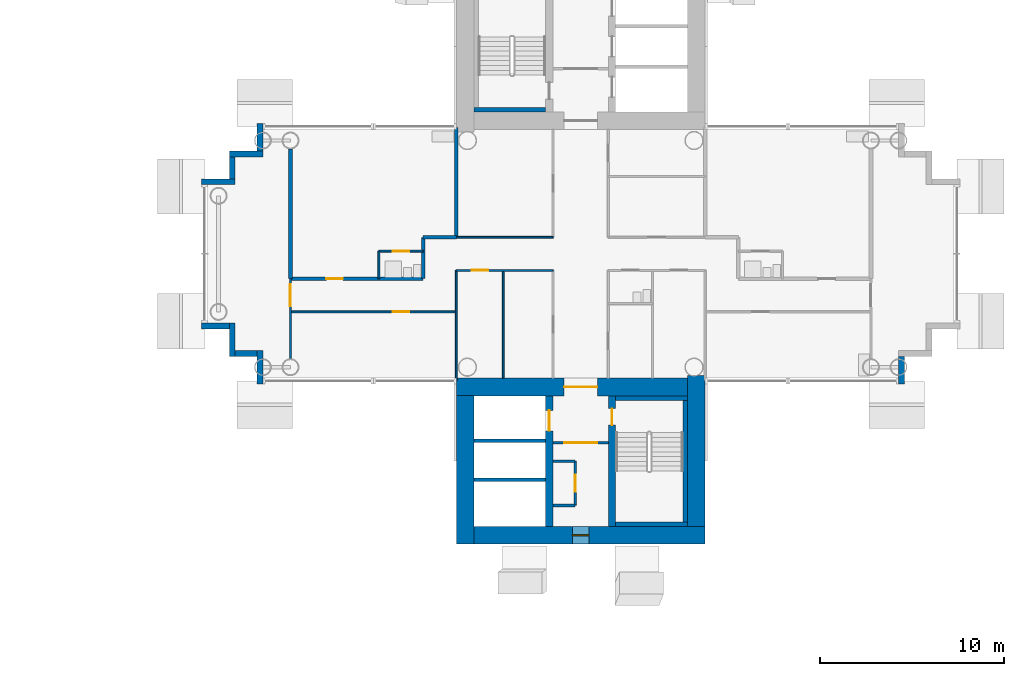
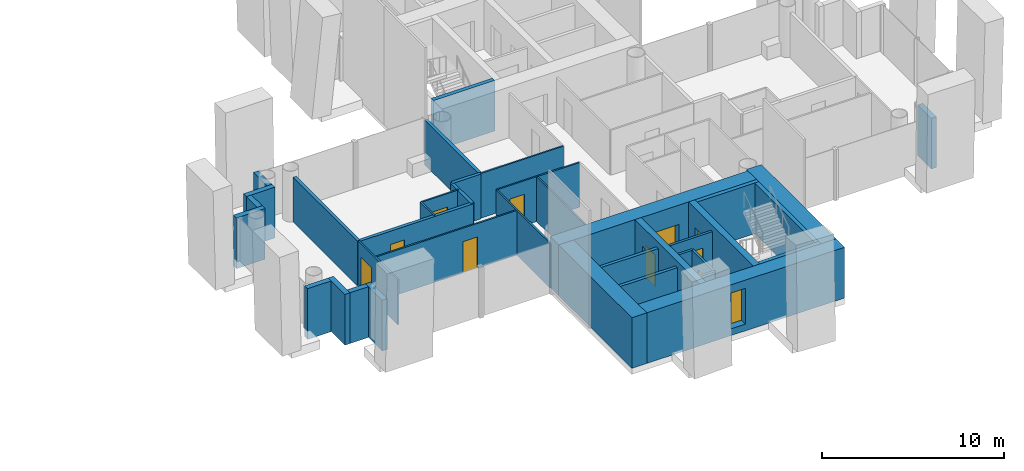
# One storey, part 11 of 20: 38 walls, 10 doors, 1 window, 11 openings.
"""IFC4 building model written with IfcOpenShell, lengths in metres."""

from ifc_helpers import new_model, si_unit, direction, frame, frame_2d, origin, place, context, subcontext, project, spatial, rectangle, extrude, material, layer, layer_set, type_object, element, fill, save


model = new_model("IFC4")

# Units and contexts
model_context = context("Model", 3, precision=1e-05, world=origin(), true_north=direction((0.0, 1.0)))
body_context = subcontext(model_context, "Body", "Model", "MODEL_VIEW")
ifc_project = project(units=[si_unit("LENGTHUNIT", "METRE"), si_unit("AREAUNIT", "SQUARE_METRE"), si_unit("VOLUMEUNIT", "CUBIC_METRE"), si_unit("PLANEANGLEUNIT", "RADIAN"), si_unit("MASSUNIT", "GRAM", prefix="KILO")], contexts=[model_context])

# Site, building, storey
site_placement = place(None, origin())
site = spatial("IfcSite", under=ifc_project, at=site_placement, CompositionType="ELEMENT")
building_placement = place(site_placement, origin())
building = spatial("IfcBuilding", under=site, at=building_placement, Name="Ipe Terrace Towers", CompositionType="ELEMENT")
storey_placement = place(building_placement, frame((0.0, 0.0, 120.800048828125)))
storey = spatial("IfcBuildingStorey", under=building, at=storey_placement, Name="L33", CompositionType="ELEMENT", Elevation=120.800048828125)

# Walls
ifc_material_1 = material(Name="Concrete C40/50 with buff precast cladding", Category="concrete")
ifc_layer_1 = layer(ifc_material_1, 0.320068359375)
ifc_layer_set_1 = layer_set([ifc_layer_1], Name="BUFF CLADDING WALL 320")
wall_type_1 = type_object("IfcWallType", Name="BUFF CLADDING WALL 320", PredefinedType="STANDARD", material=ifc_layer_set_1)
for number, where, z_axis, x_axis, name in (
    (1, (53.409912109375, -7.070068359375, -0.300048828125), (0.0, 0.0, 1.0), (0.0, 1.0, 0.0), "T2-W-L33-04a wall"),
    (2, (18.590087890625, 7.070068359375, -0.300048828125), (0.0, 0.0, 1.0), (0.0, -1.0, 0.0), "T2-W-L33-30a wall"),
):
    element("IfcWall", number, at=place(storey_placement, frame(where, z_axis=z_axis, x_axis=x_axis)), inside=storey, type_object=wall_type_1, Name=name, PredefinedType="STANDARD", context=body_context, shape_type="SweptSolid", body=[
        extrude(rectangle(XDim=1.5, YDim=0.320068359375, at=frame_2d((0.75, 0.0))), origin(), (0.0, 0.0, 1.0), 3.39990234375),
    ])
wall_1_placement = place(storey_placement, frame((18.75, 5.409912109375, -0.300048828125), z_axis=(0.0, 0.0, 1.0), x_axis=(-1.0, 0.0, 0.0)))
element("IfcWall", 3, at=wall_1_placement, inside=storey, type_object=wall_type_1, Name="T2-W-L33-31a wall", PredefinedType="STANDARD", context=body_context, shape_type="SweptSolid", body=[
    extrude(rectangle(XDim=1.820068359375, YDim=0.320068359375, at=frame_2d((0.91015625, 0.0))), origin(), (0.0, 0.0, 1.0), 3.39990234375),
])
wall_2_placement = place(storey_placement, frame((17.090087890625, 5.25, -0.300048828125), z_axis=(0.0, 0.0, 1.0), x_axis=(0.0, -1.0, 0.0)))
element("IfcWall", 4, at=wall_2_placement, inside=storey, type_object=wall_type_1, Name="T2-W-L33-32a wall", PredefinedType="STANDARD", context=body_context, shape_type="SweptSolid", body=[
    extrude(rectangle(XDim=1.179931640625, YDim=0.320068359375, at=frame_2d((0.58984375, 0.0))), origin(), (0.0, 0.0, 1.0), 3.39990234375),
])
wall_3_placement = place(storey_placement, frame((17.25, 3.909912109375, -0.300048828125), z_axis=(0.0, 0.0, 1.0), x_axis=(-1.0, 0.0, 0.0)))
element("IfcWall", 5, at=wall_3_placement, inside=storey, type_object=wall_type_1, Name="T2-W-L33-33a wall", PredefinedType="STANDARD", context=body_context, shape_type="SweptSolid", body=[
    extrude(rectangle(XDim=1.820068359375, YDim=0.320068359375, at=frame_2d((0.91015625, 0.0))), origin(), (0.0, 0.0, 1.0), 3.39990234375),
])
wall_4_placement = place(storey_placement, frame((15.429931640625, -3.909912109375, -0.300048828125), z_axis=(0.0, 0.0, 1.0), x_axis=(1.0, 0.0, 0.0)))
element("IfcWall", 6, at=wall_4_placement, inside=storey, type_object=wall_type_1, Name="T2-W-L33-35a wall", PredefinedType="STANDARD", context=body_context, shape_type="SweptSolid", body=[
    extrude(rectangle(XDim=1.5, YDim=0.320068359375, at=frame_2d((0.75, 0.0))), origin(), (0.0, 0.0, 1.0), 3.39990234375),
])
wall_5_placement = place(storey_placement, frame((17.090087890625, -3.75, -0.300048828125), z_axis=(0.0, 0.0, 1.0), x_axis=(0.0, -1.0, 0.0)))
element("IfcWall", 7, at=wall_5_placement, inside=storey, type_object=wall_type_1, Name="T2-W-L33-36a wall", PredefinedType="STANDARD", context=body_context, shape_type="SweptSolid", body=[
    extrude(rectangle(XDim=1.820068359375, YDim=0.320068359375, at=frame_2d((0.91015625, 0.0))), origin(), (0.0, 0.0, 1.0), 3.39990234375),
])
wall_6_placement = place(storey_placement, frame((17.25, -5.409912109375, -0.300048828125), z_axis=(0.0, 0.0, 1.0), x_axis=(1.0, 0.0, 0.0)))
element("IfcWall", 8, at=wall_6_placement, inside=storey, type_object=wall_type_1, Name="T2-W-L33-37a wall", PredefinedType="STANDARD", context=body_context, shape_type="SweptSolid", body=[
    extrude(rectangle(XDim=1.179931640625, YDim=0.320068359375, at=frame_2d((0.58984375, 0.0))), origin(), (0.0, 0.0, 1.0), 3.39990234375),
])
wall_7_placement = place(storey_placement, frame((18.590087890625, -5.25, -0.300048828125), z_axis=(0.0, 0.0, 1.0), x_axis=(0.0, -1.0, 0.0)))
element("IfcWall", 9, at=wall_7_placement, inside=storey, type_object=wall_type_1, Name="T2-W-L33-38a wall", PredefinedType="STANDARD", context=body_context, shape_type="SweptSolid", body=[
    extrude(rectangle(XDim=1.820068359375, YDim=0.320068359375, at=frame_2d((0.91015625, 0.0))), origin(), (0.0, 0.0, 1.0), 3.39990234375),
])

# Wall, opening, door
ifc_material_2 = material(Name="Gypsum board partition", Category="plasterboard")
ifc_layer_2 = layer(ifc_material_2, 0.10009765625)
ifc_layer_set_2 = layer_set([ifc_layer_2], Name="Gypsum board partition 100 mm")
wall_type_2 = type_object("IfcWallType", Name="Gypsum board partition 100 mm", PredefinedType="PARTITIONING", material=ifc_layer_set_2)
wall_8_placement = place(storey_placement, frame((29.25, -3.14990234375, 0.0), z_axis=(0.0, 0.0, 1.0), x_axis=(-1.0, 0.0, 0.0)))
wall_8 = element("IfcWall", 10, at=wall_8_placement, inside=storey, type_object=wall_type_2, Name="Gypsum board partition T2 L33 W02", PredefinedType="PARTITIONING", context=body_context, shape_type="SweptSolid", body=[
    extrude(rectangle(XDim=9.0, YDim=0.10009765625, at=frame_2d((4.5, 0.0))), origin(), (0.0, 0.0, 1.0), 3.0),
])
opening_1_placement = place(wall_8_placement, frame((2.550048828125, 0.0, 0.0)))
opening_1 = element("IfcOpeningElement", 11, at=opening_1_placement, cuts=wall_8, Name="Opening T2-Z2D-09", PredefinedType="OPENING", context=body_context, shape_type="SweptSolid", body=[
    extrude(rectangle(XDim=0.89990234375, YDim=2.10009765625, at=frame_2d((0.449951171875, 1.050048828125))), frame((0.0, 0.06005859375, 0.0), z_axis=(0.0, -1.0, 0.0), x_axis=(1.0, 0.0, 0.0)), (0.0, 0.0, 1.0), 0.1201171875),
])
ifc_material_3 = material(Name="Timber door leaf", Category="wood")
door_type_1 = type_object("IfcDoorType", Name="Lounge door 900 x 2100", OperationType="NOTDEFINED", PredefinedType="DOOR", material=ifc_material_3)
door_1_placement = place(opening_1_placement, origin())
door_1 = element("IfcDoor", 12, at=door_1_placement, inside=storey, type_object=door_type_1, Name="Lounge door T2-Z2D-09", OperationType="SINGLE_SWING_RIGHT", OverallHeight=2.10009765625, OverallWidth=0.89990234375, PredefinedType="DOOR", context=body_context, shape_type="SweptSolid", body=[
    extrude(rectangle(XDim=0.89990234375, YDim=2.10009765625, at=frame_2d((0.449951171875, 1.050048828125))), frame((0.0, 0.02490234375, 0.0), z_axis=(0.0, -1.0, 0.0), x_axis=(1.0, 0.0, 0.0)), (0.0, 0.0, 1.0), 0.050048828125),
])
fill(opening_1, door_1)

wall_9_placement = place(storey_placement, frame((34.5, -0.89990234375, 0.0), z_axis=(0.0, 0.0, 1.0), x_axis=(-1.0, 0.0, 0.0)))
wall_9 = element("IfcWall", 13, at=wall_9_placement, inside=storey, type_object=wall_type_2, Name="Gypsum board partition T2 L33 W07", PredefinedType="PARTITIONING", context=body_context, shape_type="SweptSolid", body=[
    extrude(rectangle(XDim=5.25, YDim=0.10009765625, at=frame_2d((2.625, 0.0))), origin(), (0.0, 0.0, 1.0), 3.0),
])
opening_2_placement = place(wall_9_placement, frame((3.52490234375, 0.0, 0.0)))
opening_2 = element("IfcOpeningElement", 14, at=opening_2_placement, cuts=wall_9, Name="Opening T2-Z2D-04", PredefinedType="OPENING", context=body_context, shape_type="SweptSolid", body=[
    extrude(rectangle(XDim=0.89990234375, YDim=2.10009765625, at=frame_2d((0.449951171875, 1.050048828125))), frame((0.0, 0.06005859375, 0.0), z_axis=(0.0, -1.0, 0.0), x_axis=(1.0, 0.0, 0.0)), (0.0, 0.0, 1.0), 0.1201171875),
])
door_2_placement = place(opening_2_placement, origin())
door_2 = element("IfcDoor", 15, at=door_2_placement, inside=storey, type_object=door_type_1, Name="Lounge door T2-Z2D-04", OperationType="SINGLE_SWING_LEFT", OverallHeight=2.10009765625, OverallWidth=0.89990234375, PredefinedType="DOOR", context=body_context, shape_type="SweptSolid", body=[
    extrude(rectangle(XDim=0.89990234375, YDim=2.10009765625, at=frame_2d((0.449951171875, 1.050048828125))), frame((0.0, 0.02490234375, 0.0), z_axis=(0.0, -1.0, 0.0), x_axis=(1.0, 0.0, 0.0)), (0.0, 0.0, 1.0), 0.050048828125),
])
fill(opening_2, door_2)

wall_10_placement = place(storey_placement, frame((27.449951171875, 0.14990234375, 0.0), z_axis=(0.0, 0.0, 1.0), x_axis=(-1.0, 0.0, 0.0)))
wall_10 = element("IfcWall", 16, at=wall_10_placement, inside=storey, type_object=wall_type_2, Name="Gypsum board partition T2 L33 W09", PredefinedType="PARTITIONING", context=body_context, shape_type="SweptSolid", body=[
    extrude(rectangle(XDim=2.39990234375, YDim=0.10009765625, at=frame_2d((1.199951171875, 0.0))), origin(), (0.0, 0.0, 1.0), 3.0),
])
opening_3_placement = place(wall_10_placement, frame((0.75, 0.0, 0.0)))
opening_3 = element("IfcOpeningElement", 17, at=opening_3_placement, cuts=wall_10, Name="Opening T2-Z2D-11", PredefinedType="OPENING", context=body_context, shape_type="SweptSolid", body=[
    extrude(rectangle(XDim=0.89990234375, YDim=2.10009765625, at=frame_2d((0.449951171875, 1.050048828125))), frame((0.0, 0.06005859375, 0.0), z_axis=(0.0, -1.0, 0.0), x_axis=(1.0, 0.0, 0.0)), (0.0, 0.0, 1.0), 0.1201171875),
])
ifc_material_4 = material(Name="Timber door leaf", Category="wood")
door_type_2 = type_object("IfcDoorType", Name="Bathroom door 900 x 2100", OperationType="NOTDEFINED", PredefinedType="DOOR", material=ifc_material_4)
door_3_placement = place(opening_3_placement, origin())
door_3 = element("IfcDoor", 18, at=door_3_placement, inside=storey, type_object=door_type_2, Name="Bathroom door T2-Z2D-11", OperationType="SINGLE_SWING_LEFT", OverallHeight=2.10009765625, OverallWidth=0.89990234375, PredefinedType="DOOR", context=body_context, shape_type="SweptSolid", body=[
    extrude(rectangle(XDim=0.89990234375, YDim=2.10009765625, at=frame_2d((0.449951171875, 1.050048828125))), frame((0.0, 0.02490234375, 0.0), z_axis=(0.0, -1.0, 0.0), x_axis=(1.0, 0.0, 0.0)), (0.0, 0.0, 1.0), 0.050048828125),
])
fill(opening_3, door_3)

# Walls
wall_11_placement = place(storey_placement, frame((34.5, 0.89990234375, 0.0), z_axis=(0.0, 0.0, 1.0), x_axis=(-1.0, 0.0, 0.0)))
element("IfcWall", 19, at=wall_11_placement, inside=storey, type_object=wall_type_2, Name="Gypsum board partition T2 L33 W11", PredefinedType="PARTITIONING", context=body_context, shape_type="SweptSolid", body=[
    extrude(rectangle(XDim=5.25, YDim=0.10009765625, at=frame_2d((2.625, 0.0))), origin(), (0.0, 0.0, 1.0), 3.0),
])
wall_12_placement = place(storey_placement, frame((31.800048828125, -6.75, 0.0), z_axis=(0.0, 0.0, 1.0), x_axis=(0.0, 1.0, 0.0)))
element("IfcWall", 20, at=wall_12_placement, inside=storey, type_object=wall_type_2, Name="Gypsum board partition T2 L33 W35", PredefinedType="PARTITIONING", context=body_context, shape_type="SweptSolid", body=[
    extrude(rectangle(XDim=5.85009765625, YDim=0.10009765625, at=frame_2d((2.925048828125, 0.0))), origin(), (0.0, 0.0, 1.0), 3.0),
])
wall_13_placement = place(storey_placement, frame((29.25, -6.85009765625, 0.0), z_axis=(0.0, 0.0, 1.0), x_axis=(0.0, 1.0, 0.0)))
element("IfcWall", 21, at=wall_13_placement, inside=storey, type_object=wall_type_2, Name="Gypsum board partition T2 L33 W36", PredefinedType="PARTITIONING", context=body_context, shape_type="SweptSolid", body=[
    extrude(rectangle(XDim=5.9501953125, YDim=0.10009765625, at=frame_2d((2.97509765625, 0.0))), origin(), (0.0, 0.0, 1.0), 3.0),
])
wall_14_placement = place(storey_placement, frame((25.050048828125, -1.35009765625, 0.0), z_axis=(0.0, 0.0, 1.0), x_axis=(0.0, 1.0, 0.0)))
element("IfcWall", 22, at=wall_14_placement, inside=storey, type_object=wall_type_2, Name="Gypsum board partition T2 L33 W39", PredefinedType="PARTITIONING", context=body_context, shape_type="SweptSolid", body=[
    extrude(rectangle(XDim=1.5, YDim=0.10009765625, at=frame_2d((0.75, 0.0))), origin(), (0.0, 0.0, 1.0), 3.0),
])

# Wall, opening, door
wall_15_placement = place(storey_placement, frame((20.25, -5.699951171875, 0.0), z_axis=(0.0, 0.0, 1.0), x_axis=(0.0, 1.0, 0.0)))
wall_15 = element("IfcWall", 23, at=wall_15_placement, inside=storey, type_object=wall_type_2, Name="Gypsum board partition T2 L33 W40", PredefinedType="PARTITIONING", context=body_context, shape_type="SweptSolid", body=[
    extrude(rectangle(XDim=4.349853515625, YDim=0.10009765625, at=frame_2d((2.1748046875, 0.0))), origin(), (0.0, 0.0, 1.0), 3.0),
])
opening_4_placement = place(wall_15_placement, frame((2.85009765625, 0.0, 0.0)))
opening_4 = element("IfcOpeningElement", 24, at=opening_4_placement, cuts=wall_15, Name="Opening T2-Z2D-12", PredefinedType="OPENING", context=body_context, shape_type="SweptSolid", body=[
    extrude(rectangle(XDim=1.199951171875, YDim=2.10009765625, at=frame_2d((0.60009765625, 1.050048828125))), frame((0.0, 0.06005859375, 0.0), z_axis=(0.0, -1.0, 0.0), x_axis=(1.0, 0.0, 0.0)), (0.0, 0.0, 1.0), 0.1201171875),
])
ifc_material_5 = material(Name="Timber door leaf", Category="wood")
door_type_3 = type_object("IfcDoorType", Name="Lounge door 1200 x 2100", OperationType="NOTDEFINED", PredefinedType="DOOR", material=ifc_material_5)
door_4_placement = place(opening_4_placement, origin())
door_4 = element("IfcDoor", 25, at=door_4_placement, inside=storey, type_object=door_type_3, Name="Lounge door T2-Z2D-12", OperationType="SINGLE_SWING_LEFT", OverallHeight=2.10009765625, OverallWidth=1.199951171875, PredefinedType="DOOR", context=body_context, shape_type="SweptSolid", body=[
    extrude(rectangle(XDim=1.199951171875, YDim=2.10009765625, at=frame_2d((0.60009765625, 1.050048828125))), frame((0.0, 0.02490234375, 0.0), z_axis=(0.0, -1.0, 0.0), x_axis=(1.0, 0.0, 0.0)), (0.0, 0.0, 1.0), 0.050048828125),
])
fill(opening_4, door_4)

ifc_material_6 = material(Name="Gypsum board partition", Category="plasterboard")
ifc_layer_3 = layer(ifc_material_6, 0.14990234375)
ifc_layer_set_3 = layer_set([ifc_layer_3], Name="Gypsum board partition 150 mm")
wall_type_3 = type_object("IfcWallType", Name="Gypsum board partition 150 mm", PredefinedType="PARTITIONING", material=ifc_layer_set_3)
wall_16_placement = place(storey_placement, frame((34.5, -10.25, 0.0), z_axis=(0.0, 0.0, 1.0), x_axis=(1.0, 0.0, 0.0)))
wall_16 = element("IfcWall", 26, at=wall_16_placement, inside=storey, type_object=wall_type_3, Name="Gypsum board partition T2 L33 t2c2-lobby-wall", PredefinedType="PARTITIONING", context=body_context, shape_type="SweptSolid", body=[
    extrude(rectangle(XDim=3.0, YDim=0.14990234375, at=frame_2d((1.5, 0.0))), origin(), (0.0, 0.0, 1.0), 3.0),
])
opening_5_placement = place(wall_16_placement, frame((0.60009765625, 0.0, 0.0)))
opening_5 = element("IfcOpeningElement", 27, at=opening_5_placement, cuts=wall_16, Name="Opening T2C2-VD", PredefinedType="OPENING", context=body_context, shape_type="SweptSolid", body=[
    extrude(rectangle(XDim=1.800048828125, YDim=2.10009765625, at=frame_2d((0.89990234375, 1.050048828125))), frame((0.0, 0.0849609375, 0.0), z_axis=(0.0, -1.0, 0.0), x_axis=(1.0, 0.0, 0.0)), (0.0, 0.0, 1.0), 0.169921875),
])
ifc_material_7 = material(Name="Fire-rated timber door leaf", Category="wood")
door_type_4 = type_object("IfcDoorType", Name="Lobby door 1800 x 2100 FD60", OperationType="NOTDEFINED", PredefinedType="DOOR", material=ifc_material_7)
door_5_placement = place(opening_5_placement, origin())
door_5 = element("IfcDoor", 28, at=door_5_placement, inside=storey, type_object=door_type_4, Name="Lobby door T2C2-VD", OperationType="SINGLE_SWING_LEFT", OverallHeight=2.10009765625, OverallWidth=1.800048828125, PredefinedType="DOOR", context=body_context, shape_type="SweptSolid", body=[
    extrude(rectangle(XDim=1.800048828125, YDim=2.10009765625, at=frame_2d((0.89990234375, 1.050048828125))), frame((0.0, 0.02490234375, 0.0), z_axis=(0.0, -1.0, 0.0), x_axis=(1.0, 0.0, 0.0)), (0.0, 0.0, 1.0), 0.050048828125),
])
fill(opening_5, door_5)

wall_17_placement = place(storey_placement, frame((35.699951171875, -11.25, 0.0), z_axis=(0.0, 0.0, 1.0), x_axis=(0.0, -1.0, 0.0)))
wall_17 = element("IfcWall", 29, at=wall_17_placement, inside=storey, type_object=wall_type_3, Name="Gypsum board partition T2 L33 t2c2-cup-s-f", PredefinedType="PARTITIONING", context=body_context, shape_type="SweptSolid", body=[
    extrude(rectangle(XDim=2.39990234375, YDim=0.14990234375, at=frame_2d((1.199951171875, 0.0))), origin(), (0.0, 0.0, 1.0), 3.0),
])
opening_6_placement = place(wall_17_placement, frame((0.75, 0.0, 0.0)))
opening_6 = element("IfcOpeningElement", 30, at=opening_6_placement, cuts=wall_17, Name="Opening T2C2-SC", PredefinedType="OPENING", context=body_context, shape_type="SweptSolid", body=[
    extrude(rectangle(XDim=0.89990234375, YDim=2.10009765625, at=frame_2d((0.449951171875, 1.050048828125))), frame((0.0, 0.0849609375, 0.0), z_axis=(0.0, -1.0, 0.0), x_axis=(1.0, 0.0, 0.0)), (0.0, 0.0, 1.0), 0.169921875),
])
ifc_material_8 = material(Name="Fire-rated timber door leaf", Category="wood")
door_type_5 = type_object("IfcDoorType", Name="Service door 900 x 2100 FD30S", OperationType="NOTDEFINED", PredefinedType="DOOR", material=ifc_material_8)
door_6_placement = place(opening_6_placement, origin())
door_6 = element("IfcDoor", 31, at=door_6_placement, inside=storey, type_object=door_type_5, Name="Service door T2C2-SC", OperationType="SINGLE_SWING_LEFT", OverallHeight=2.10009765625, OverallWidth=0.89990234375, PredefinedType="DOOR", context=body_context, shape_type="SweptSolid", body=[
    extrude(rectangle(XDim=0.89990234375, YDim=2.10009765625, at=frame_2d((0.449951171875, 1.050048828125))), frame((0.0, 0.02490234375, 0.0), z_axis=(0.0, -1.0, 0.0), x_axis=(1.0, 0.0, 0.0)), (0.0, 0.0, 1.0), 0.050048828125),
])
fill(opening_6, door_6)

# Walls
for number, where, z_axis, x_axis, name in (
    (32, (35.699951171875, -11.25, 0.0), (0.0, 0.0, 1.0), (-1.0, 0.0, 0.0), "Gypsum board partition T2 L33 t2c2-cup-s-a"),
    (33, (35.699951171875, -13.64990234375, 0.0), (0.0, 0.0, 1.0), (-1.0, 0.0, 0.0), "Gypsum board partition T2 L33 t2c2-cup-s-b"),
):
    element("IfcWall", number, at=place(storey_placement, frame(where, z_axis=z_axis, x_axis=x_axis)), inside=storey, type_object=wall_type_3, Name=name, PredefinedType="PARTITIONING", context=body_context, shape_type="SweptSolid", body=[
        extrude(rectangle(XDim=1.199951171875, YDim=0.14990234375, at=frame_2d((0.60009765625, 0.0))), origin(), (0.0, 0.0, 1.0), 3.0),
    ])
ifc_material_9 = material(Name="Gypsum board party wall", Category="plasterboard")
ifc_layer_4 = layer(ifc_material_9, 0.199951171875)
ifc_layer_set_4 = layer_set([ifc_layer_4], Name="Gypsum board party wall 200 mm")
wall_type_4 = type_object("IfcWallType", Name="Gypsum board party wall 200 mm", PredefinedType="SOLIDWALL", material=ifc_layer_set_4)
for number, where, z_axis, x_axis, name in (
    (34, (30.199951171875, -10.14990234375, 0.0), (0.0, 0.0, 1.0), (1.0, 0.0, 0.0), "Gypsum board party wall T2 L33 t2c2-shaft-div1"),
    (35, (30.199951171875, -12.25, 0.0), (0.0, 0.0, 1.0), (1.0, 0.0, 0.0), "Gypsum board party wall T2 L33 t2c2-shaft-div2"),
):
    element("IfcWall", number, at=place(storey_placement, frame(where, z_axis=z_axis, x_axis=x_axis)), inside=storey, type_object=wall_type_4, Name=name, PredefinedType="SOLIDWALL", context=body_context, shape_type="SweptSolid", body=[
        extrude(rectangle(XDim=3.900146484375, YDim=0.199951171875, at=frame_2d((1.9501953125, 0.0))), origin(), (0.0, 0.0, 1.0), 3.0),
    ])

# Wall, opening, door
wall_18_placement = place(storey_placement, frame((27.449951171875, -1.35009765625, 0.0), z_axis=(0.0, 0.0, 1.0), x_axis=(-1.0, 0.0, 0.0)))
wall_18 = element("IfcWall", 36, at=wall_18_placement, inside=storey, type_object=wall_type_4, Name="Gypsum board party wall T2 L33 W05", PredefinedType="SOLIDWALL", context=body_context, shape_type="SweptSolid", body=[
    extrude(rectangle(XDim=7.199951171875, YDim=0.199951171875, at=frame_2d((3.60009765625, 0.0))), origin(), (0.0, 0.0, 1.0), 3.0),
])
opening_7_placement = place(wall_18_placement, frame((4.35009765625, 0.0, 0.0)))
opening_7 = element("IfcOpeningElement", 37, at=opening_7_placement, cuts=wall_18, Name="Opening T2-Z2D-10", PredefinedType="OPENING", context=body_context, shape_type="SweptSolid", body=[
    extrude(rectangle(XDim=0.89990234375, YDim=2.10009765625, at=frame_2d((0.449951171875, 1.050048828125))), frame((0.0, 0.10986328125, 0.0), z_axis=(0.0, -1.0, 0.0), x_axis=(1.0, 0.0, 0.0)), (0.0, 0.0, 1.0), 0.219970703125),
])
ifc_material_10 = material(Name="Fire-rated timber door leaf", Category="wood")
door_type_6 = type_object("IfcDoorType", Name="Flat entrance door 900 x 2100 FD30S", OperationType="NOTDEFINED", PredefinedType="DOOR", material=ifc_material_10)
door_7_placement = place(opening_7_placement, origin())
door_7 = element("IfcDoor", 38, at=door_7_placement, inside=storey, type_object=door_type_6, Name="Flat entrance door T2-Z2D-10", OperationType="SINGLE_SWING_RIGHT", OverallHeight=2.10009765625, OverallWidth=0.89990234375, PredefinedType="DOOR", context=body_context, shape_type="SweptSolid", body=[
    extrude(rectangle(XDim=0.89990234375, YDim=2.10009765625, at=frame_2d((0.449951171875, 1.050048828125))), frame((0.0, 0.02490234375, 0.0), z_axis=(0.0, -1.0, 0.0), x_axis=(1.0, 0.0, 0.0)), (0.0, 0.0, 1.0), 0.050048828125),
])
fill(opening_7, door_7)

# Walls
wall_19_placement = place(storey_placement, frame((29.25, 0.89990234375, 0.0), z_axis=(0.0, 0.0, 1.0), x_axis=(-1.0, 0.0, 0.0)))
element("IfcWall", 39, at=wall_19_placement, inside=storey, type_object=wall_type_4, Name="Gypsum board party wall T2 L33 W13", PredefinedType="SOLIDWALL", context=body_context, shape_type="SweptSolid", body=[
    extrude(rectangle(XDim=1.800048828125, YDim=0.199951171875, at=frame_2d((0.89990234375, 0.0))), origin(), (0.0, 0.0, 1.0), 3.0),
])
wall_20_placement = place(storey_placement, frame((29.25, 0.89990234375, 0.0), z_axis=(0.0, 0.0, 1.0), x_axis=(0.0, 1.0, 0.0)))
element("IfcWall", 40, at=wall_20_placement, inside=storey, type_object=wall_type_4, Name="Gypsum board party wall T2 L33 W37", PredefinedType="SOLIDWALL", context=body_context, shape_type="SweptSolid", body=[
    extrude(rectangle(XDim=5.9501953125, YDim=0.199951171875, at=frame_2d((2.97509765625, 0.0))), origin(), (0.0, 0.0, 1.0), 3.0),
])
wall_21_placement = place(storey_placement, frame((27.449951171875, -1.35009765625, 0.0), z_axis=(0.0, 0.0, 1.0), x_axis=(0.0, 1.0, 0.0)))
element("IfcWall", 41, at=wall_21_placement, inside=storey, type_object=wall_type_4, Name="Gypsum board party wall T2 L33 W38", PredefinedType="SOLIDWALL", context=body_context, shape_type="SweptSolid", body=[
    extrude(rectangle(XDim=2.25, YDim=0.199951171875, at=frame_2d((1.125, 0.0))), origin(), (0.0, 0.0, 1.0), 3.0),
])
wall_22_placement = place(storey_placement, frame((20.25, -1.35009765625, 0.0), z_axis=(0.0, 0.0, 1.0), x_axis=(0.0, 1.0, 0.0)))
element("IfcWall", 42, at=wall_22_placement, inside=storey, type_object=wall_type_4, Name="Gypsum board party wall T2 L33 W41", PredefinedType="SOLIDWALL", context=body_context, shape_type="SweptSolid", body=[
    extrude(rectangle(XDim=7.050048828125, YDim=0.199951171875, at=frame_2d((3.52490234375, 0.0))), origin(), (0.0, 0.0, 1.0), 3.0),
])
ifc_material_11 = material(Name="Concrete C50/60", Category="concrete")
ifc_layer_5 = layer(ifc_material_11, 0.25)
ifc_layer_set_5 = layer_set([ifc_layer_5], Name="RW250 CORE INFILL WALL 250 C50-60")
wall_type_5 = type_object("IfcWallType", Name="RW250 CORE INFILL WALL 250 C50-60", PredefinedType="SHEAR", material=ifc_layer_set_5)
for number, where, z_axis, x_axis, name in (
    (43, (34.10009765625, 7.824951171875, 0.0), (0.0, 0.0, 1.0), (-1.0, 0.0, 0.0), "Core infill wall T2-C1-near"),
    (44, (37.89990234375, -14.675048828125, 0.0), (0.0, 0.0, 1.0), (1.0, 0.0, 0.0), "Core infill wall T2-C2-far"),
):
    element("IfcWall", number, at=place(storey_placement, frame(where, z_axis=z_axis, x_axis=x_axis)), inside=storey, type_object=wall_type_5, Name=name, PredefinedType="SHEAR", context=body_context, shape_type="SweptSolid", body=[
        extrude(rectangle(XDim=3.900146484375, YDim=0.25, at=frame_2d((1.9501953125, 0.0))), origin(), (0.0, 0.0, 1.0), 3.39990234375),
    ])
wall_23_placement = place(storey_placement, frame((41.675048828125, -7.949951171875, 0.0), z_axis=(0.0, 0.0, 1.0), x_axis=(0.0, -1.0, 0.0)))
element("IfcWall", 45, at=wall_23_placement, inside=storey, type_object=wall_type_5, Name="Core infill wall T2-C2-back", PredefinedType="SHEAR", context=body_context, shape_type="SweptSolid", body=[
    extrude(rectangle(XDim=6.60009765625, YDim=0.25, at=frame_2d((3.300048828125, 0.0))), origin(), (0.0, 0.0, 1.0), 3.39990234375),
])
wall_24_placement = place(storey_placement, frame((37.89990234375, -7.824951171875, 0.0), z_axis=(0.0, 0.0, 1.0), x_axis=(1.0, 0.0, 0.0)))
element("IfcWall", 46, at=wall_24_placement, inside=storey, type_object=wall_type_5, Name="Core infill wall T2-C2-near", PredefinedType="SHEAR", context=body_context, shape_type="SweptSolid", body=[
    extrude(rectangle(XDim=3.900146484375, YDim=0.25, at=frame_2d((1.9501953125, 0.0))), origin(), (0.0, 0.0, 1.0), 3.39990234375),
])

# Wall, opening, door
ifc_material_12 = material(Name="Concrete C50/60", Category="concrete")
ifc_layer_6 = layer(ifc_material_12, 0.39990234375)
ifc_layer_set_6 = layer_set([ifc_layer_6], Name="RW400 CORE SPINE WALL 400 C50-60")
wall_type_6 = type_object("IfcWallType", Name="RW400 CORE SPINE WALL 400 C50-60", PredefinedType="SHEAR", material=ifc_layer_set_6)
wall_25_placement = place(storey_placement, frame((34.300048828125, -14.800048828125, 0.0), z_axis=(0.0, 0.0, 1.0), x_axis=(0.0, 1.0, 0.0)))
wall_25 = element("IfcWall", 47, at=wall_25_placement, inside=storey, type_object=wall_type_6, Name="Core spine wall T2-C2-Z2-SW1", PredefinedType="SHEAR", context=body_context, shape_type="SweptSolid", body=[
    extrude(rectangle(XDim=7.10009765625, YDim=0.39990234375, at=frame_2d((3.550048828125, 0.0))), origin(), (0.0, 0.0, 1.0), 3.39990234375),
])
opening_8_placement = place(wall_25_placement, frame((5.199951171875, 0.0, 0.0)))
opening_8 = element("IfcOpeningElement", 48, at=opening_8_placement, cuts=wall_25, Name="Opening T2C2-LD1", PredefinedType="OPENING", context=body_context, shape_type="SweptSolid", body=[
    extrude(rectangle(XDim=1.10009765625, YDim=2.10009765625, at=frame_2d((0.550048828125, 1.050048828125))), frame((0.0, 0.2099609375, 0.0), z_axis=(0.0, -1.0, 0.0), x_axis=(1.0, 0.0, 0.0)), (0.0, 0.0, 1.0), 0.419921875),
])
ifc_material_13 = material(Name="Fire-rated timber door leaf", Category="wood")
door_type_7 = type_object("IfcDoorType", Name="Sliding door 1100 x 2100 FD60", OperationType="SLIDING_TO_LEFT", PredefinedType="DOOR", material=ifc_material_13)
door_8_placement = place(opening_8_placement, origin())
door_8 = element("IfcDoor", 49, at=door_8_placement, inside=storey, type_object=door_type_7, Name="Sliding door T2C2-LD1", OperationType="SLIDING_TO_LEFT", OverallHeight=2.10009765625, OverallWidth=1.10009765625, PredefinedType="DOOR", context=body_context, shape_type="SweptSolid", body=[
    extrude(rectangle(XDim=1.10009765625, YDim=2.10009765625, at=frame_2d((0.550048828125, 1.050048828125))), frame((0.0, 0.02490234375, 0.0), z_axis=(0.0, -1.0, 0.0), x_axis=(1.0, 0.0, 0.0)), (0.0, 0.0, 1.0), 0.050048828125),
])
fill(opening_8, door_8)

wall_26_placement = place(storey_placement, frame((37.699951171875, -14.800048828125, 0.0), z_axis=(0.0, 0.0, 1.0), x_axis=(0.0, 1.0, 0.0)))
wall_26 = element("IfcWall", 50, at=wall_26_placement, inside=storey, type_object=wall_type_6, Name="Core spine wall T2-C2-Z2-SW2", PredefinedType="SHEAR", context=body_context, shape_type="SweptSolid", body=[
    extrude(rectangle(XDim=7.10009765625, YDim=0.39990234375, at=frame_2d((3.550048828125, 0.0))), origin(), (0.0, 0.0, 1.0), 3.39990234375),
])
opening_9_placement = place(wall_26_placement, frame((5.5, 0.0, 0.0)))
opening_9 = element("IfcOpeningElement", 51, at=opening_9_placement, cuts=wall_26, Name="Opening T2C2-SD", PredefinedType="OPENING", context=body_context, shape_type="SweptSolid", body=[
    extrude(rectangle(XDim=0.89990234375, YDim=2.10009765625, at=frame_2d((0.449951171875, 1.050048828125))), frame((0.0, 0.2099609375, 0.0), z_axis=(0.0, -1.0, 0.0), x_axis=(1.0, 0.0, 0.0)), (0.0, 0.0, 1.0), 0.419921875),
])
ifc_material_14 = material(Name="Fire-rated timber door leaf", Category="wood")
door_type_8 = type_object("IfcDoorType", Name="Stair door 900 x 2100 FD60", OperationType="NOTDEFINED", PredefinedType="DOOR", material=ifc_material_14)
door_9_placement = place(opening_9_placement, origin())
door_9 = element("IfcDoor", 52, at=door_9_placement, inside=storey, type_object=door_type_8, Name="Stair door T2C2-SD", OperationType="SINGLE_SWING_RIGHT", OverallHeight=2.10009765625, OverallWidth=0.89990234375, PredefinedType="DOOR", context=body_context, shape_type="SweptSolid", body=[
    extrude(rectangle(XDim=0.89990234375, YDim=2.10009765625, at=frame_2d((0.449951171875, 1.050048828125))), frame((0.0, 0.02490234375, 0.0), z_axis=(0.0, -1.0, 0.0), x_axis=(1.0, 0.0, 0.0)), (0.0, 0.0, 1.0), 0.050048828125),
])
fill(opening_9, door_9)

# Wall, opening, window
ifc_material_15 = material(Name="Concrete C50/60", Category="concrete")
ifc_layer_7 = layer(ifc_material_15, 0.949951171875)
ifc_layer_set_7 = layer_set([ifc_layer_7], Name="RW950 CORE WALL 950 C50-60")
wall_type_7 = type_object("IfcWallType", Name="RW950 CORE WALL 950 C50-60", PredefinedType="SHEAR", material=ifc_layer_set_7)
wall_27_placement = place(storey_placement, frame((30.199951171875, -15.27490234375, 0.0), z_axis=(0.0, 0.0, 1.0), x_axis=(1.0, 0.0, 0.0)))
wall_27 = element("IfcWall", 53, at=wall_27_placement, inside=storey, type_object=wall_type_7, Name="Core wall T2-C2-Z2-W01", PredefinedType="SHEAR", context=body_context, shape_type="SweptSolid", body=[
    extrude(rectangle(XDim=12.550048828125, YDim=0.949951171875, at=frame_2d((6.27490234375, 0.0))), origin(), (0.0, 0.0, 1.0), 3.39990234375),
])
opening_10_placement = place(wall_27_placement, frame((5.35009765625, 0.0, 0.449951171875)))
opening_10 = element("IfcOpeningElement", 54, at=opening_10_placement, cuts=wall_27, Name="Opening T2-C2-W-01-L33", PredefinedType="OPENING", context=body_context, shape_type="SweptSolid", body=[
    extrude(rectangle(XDim=0.89990234375, YDim=2.39990234375, at=frame_2d((0.449951171875, 1.199951171875))), frame((0.0, 0.48486328125, 0.0), z_axis=(0.0, -1.0, 0.0), x_axis=(1.0, 0.0, 0.0)), (0.0, 0.0, 1.0), 0.969970703125),
])
ifc_material_16 = material(Name="Fire-resistant glazing EI 60", Category="glass")
window_type = type_object("IfcWindowType", Name="CORRIDOR END SLOT WINDOW 900 x 2400 EI 60", PartitioningType="SINGLE_PANEL", PredefinedType="WINDOW", material=ifc_material_16)
window_placement = place(opening_10_placement, origin())
window = element("IfcWindow", 55, at=window_placement, inside=storey, type_object=window_type, Name="W-01 window", OverallHeight=2.39990234375, OverallWidth=0.89990234375, PartitioningType="SINGLE_PANEL", PredefinedType="WINDOW", context=body_context, shape_type="SweptSolid", body=[
    extrude(rectangle(XDim=0.89990234375, YDim=2.39990234375, at=frame_2d((0.449951171875, 1.199951171875))), frame((0.0, 0.030029296875, 0.0), z_axis=(0.0, -1.0, 0.0), x_axis=(1.0, 0.0, 0.0)), (0.0, 0.0, 1.0), 0.06005859375),
])
fill(opening_10, window)

# Wall
wall_28_placement = place(storey_placement, frame((42.27490234375, -14.800048828125, 0.0), z_axis=(0.0, 0.0, 1.0), x_axis=(0.0, 1.0, 0.0)))
element("IfcWall", 56, at=wall_28_placement, inside=storey, type_object=wall_type_7, Name="Core wall T2-C2-Z2-W02", PredefinedType="SHEAR", context=body_context, shape_type="SweptSolid", body=[
    extrude(rectangle(XDim=8.197998046875, YDim=0.949951171875, at=frame_2d((4.09912109375, 0.0))), origin(), (0.0, 0.0, 1.0), 3.39990234375),
])

# Wall, opening, door
wall_29_placement = place(storey_placement, frame((41.800048828125, -7.22509765625, 0.0), z_axis=(0.0, 0.0, 1.0), x_axis=(-1.0, 0.0, 0.0)))
wall_29 = element("IfcWall", 57, at=wall_29_placement, inside=storey, type_object=wall_type_7, Name="Core wall T2-C2-Z2-W03", PredefinedType="SHEAR", context=body_context, shape_type="SweptSolid", body=[
    extrude(rectangle(XDim=12.550048828125, YDim=0.949951171875, at=frame_2d((6.27490234375, 0.0))), origin(), (0.0, 0.0, 1.0), 3.39990234375),
])
opening_11_placement = place(wall_29_placement, frame((4.89990234375, 0.0, 0.0)))
opening_11 = element("IfcOpeningElement", 58, at=opening_11_placement, cuts=wall_29, Name="Opening T2C2-ND", PredefinedType="OPENING", context=body_context, shape_type="SweptSolid", body=[
    extrude(rectangle(XDim=1.800048828125, YDim=2.10009765625, at=frame_2d((0.89990234375, 1.050048828125))), frame((0.0, 0.48486328125, 0.0), z_axis=(0.0, -1.0, 0.0), x_axis=(1.0, 0.0, 0.0)), (0.0, 0.0, 1.0), 0.969970703125),
])
ifc_material_17 = material(Name="Fire-rated timber door leaf", Category="wood")
door_type_9 = type_object("IfcDoorType", Name="Fire door 1800 x 2100 FD30S", OperationType="NOTDEFINED", PredefinedType="DOOR", material=ifc_material_17)
door_10_placement = place(opening_11_placement, origin())
door_10 = element("IfcDoor", 59, at=door_10_placement, inside=storey, type_object=door_type_9, Name="Fire door T2C2-ND", OperationType="SINGLE_SWING_LEFT", OverallHeight=2.10009765625, OverallWidth=1.800048828125, PredefinedType="DOOR", context=body_context, shape_type="SweptSolid", body=[
    extrude(rectangle(XDim=1.800048828125, YDim=2.10009765625, at=frame_2d((0.89990234375, 1.050048828125))), frame((0.0, 0.02490234375, 0.0), z_axis=(0.0, -1.0, 0.0), x_axis=(1.0, 0.0, 0.0)), (0.0, 0.0, 1.0), 0.050048828125),
])
fill(opening_11, door_10)

# Wall
wall_30_placement = place(storey_placement, frame((29.72509765625, -7.699951171875, 0.0), z_axis=(0.0, 0.0, 1.0), x_axis=(0.0, -1.0, 0.0)))
element("IfcWall", 60, at=wall_30_placement, inside=storey, type_object=wall_type_7, Name="Core wall T2-C2-Z2-W04", PredefinedType="SHEAR", context=body_context, shape_type="SweptSolid", body=[
    extrude(rectangle(XDim=8.050048828125, YDim=0.949951171875, at=frame_2d((4.02490234375, 0.0))), origin(), (0.0, 0.0, 1.0), 3.39990234375),
])

save(model, "model.ifc")
